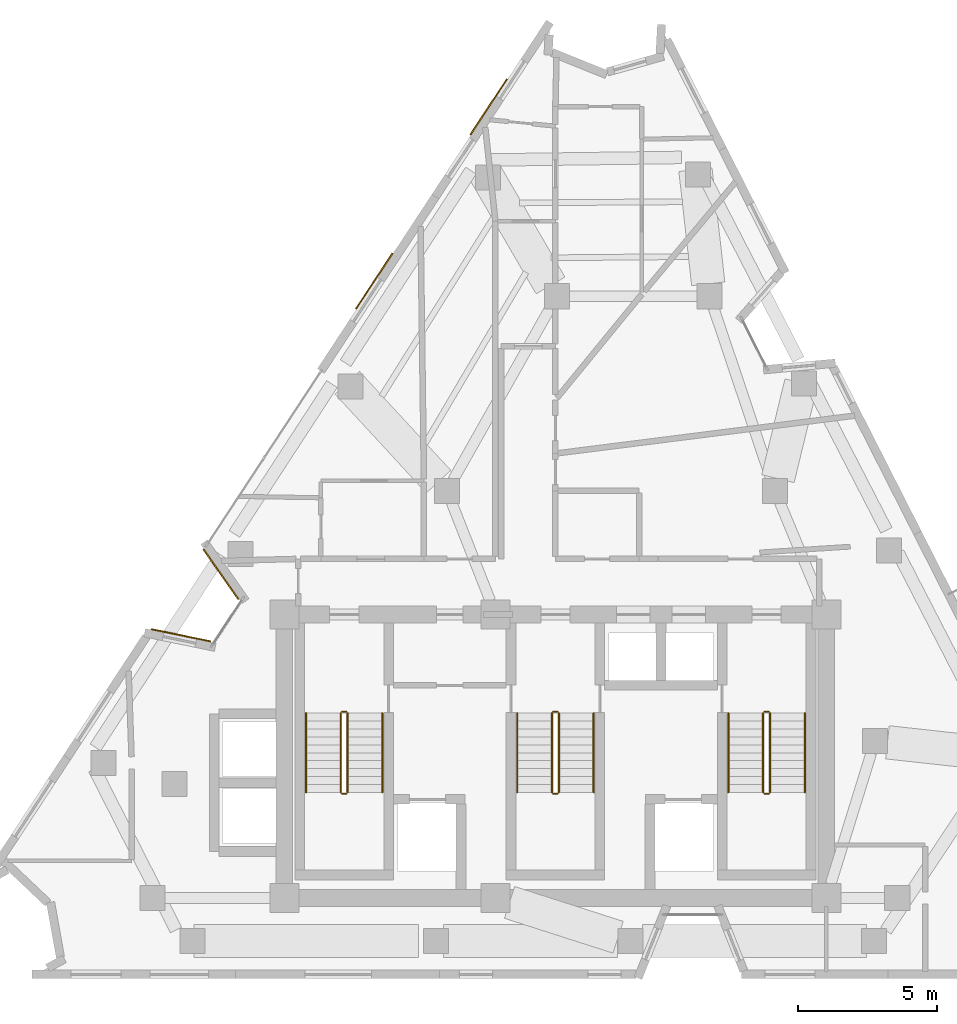
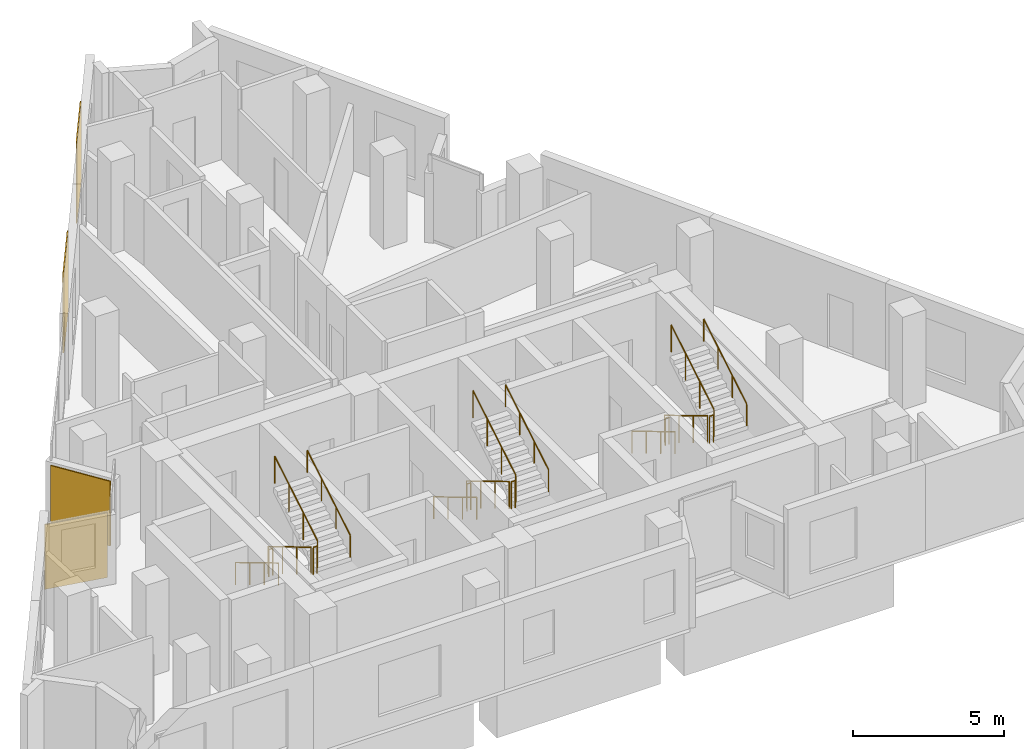
# One storey, part 9 of 10: 18 railings, 4 coverings.
"""IFC4 building model written with IfcOpenShell, lengths in metres."""

from ifc_helpers import new_model, si_unit, direction, frame, origin, origin_2d, place, context, subcontext, project, spatial, rectangle, circle, extrude, material, layer, layer_set, type_object, element, save


model = new_model("IFC4")

# Units and contexts
model_context = context("Model", 3, precision=1e-05, world=origin(), true_north=direction((0.0, 1.0)))
body_context = subcontext(model_context, "Body", "Model", "MODEL_VIEW")
ifc_project = project(units=[si_unit("LENGTHUNIT", "METRE"), si_unit("AREAUNIT", "SQUARE_METRE"), si_unit("VOLUMEUNIT", "CUBIC_METRE"), si_unit("PLANEANGLEUNIT", "RADIAN"), si_unit("MASSUNIT", "GRAM", prefix="KILO")], contexts=[model_context])

# Site, building, storey
site_placement = place(None, origin())
site = spatial("IfcSite", under=ifc_project, at=site_placement, CompositionType="ELEMENT")
building_placement = place(site_placement, origin())
building = spatial("IfcBuilding", under=site, at=building_placement, Name="Almagre Mirador Tower", CompositionType="ELEMENT")
storey_placement = place(building_placement, frame((0.0, 0.0, 229.5)))
storey = spatial("IfcBuildingStorey", under=building, at=storey_placement, Name="L59", CompositionType="ELEMENT", Elevation=229.5)

# Coverings
ifc_material_1 = material(Name="Almagre terracotta architectural cladding", Category="masonry")
ifc_layer = layer(ifc_material_1, 0.044921875)
ifc_layer_set = layer_set([ifc_layer], Name="Almagre terracotta architectural cladding")
covering_type = type_object("IfcCoveringType", Name="COV-CLAD-ALMAGRE", PredefinedType="CLADDING", material=ifc_layer_set)
for number, where, z_axis, x_axis, name in (
    (1, (23.82568359375, 14.001953125, 0.10009765625), (0.0, 0.0, 1.0), (0.979501484897, -0.201436940713, 0.0), "L59 almagre terracotta pier cladding"),
    (2, (25.26611328125, 16.195556640625, 0.10009765625), (0.0, 0.0, 1.0), (-0.573590733164, 0.819142033367, 0.0), "L59 almagre terracotta pier cladding"),
):
    element("IfcCovering", number, at=place(storey_placement, frame(where, z_axis=z_axis, x_axis=x_axis)), inside=storey, type_object=covering_type, Name=name, PredefinedType="CLADDING", context=body_context, shape_type="SweptSolid", body=[
        extrude(rectangle(XDim=2.193115234375, YDim=0.044921875, at=origin_2d()), origin(), (0.0, 0.0, 1.0), 2.625),
    ])
for number, where, z_axis, x_axis, name in (
    (3, (30.77978515625, 26.744140625, 0.10009765625), (0.0, 0.0, 1.0), (0.549051992844, 0.835788196347, 0.0), "L59 almagre terracotta pier cladding"),
    (4, (34.89990234375, 33.015869140625, 0.10009765625), (0.0, 0.0, 1.0), (0.549051992844, 0.835788196347, 0.0), "L59 almagre terracotta pier cladding"),
):
    element("IfcCovering", number, at=place(storey_placement, frame(where, z_axis=z_axis, x_axis=x_axis)), inside=storey, type_object=covering_type, Name=name, PredefinedType="CLADDING", context=body_context, shape_type="SweptSolid", body=[
        extrude(rectangle(XDim=2.39990234375, YDim=0.044921875, at=origin_2d()), origin(), (0.0, 0.0, 1.0), 3.300048828125),
    ])

# Railings
ifc_material_2 = material(Name="Painted galvanized steel", Category="steel")
railing_type_1 = type_object("IfcRailingType", Name="RLG-GRD-1100", PredefinedType="GUARDRAIL", material=ifc_material_2)
railing_1_placement = place(storey_placement, frame((29.574951171875, 11.199951171875, 0.17041015625)))
element("IfcRailing", 5, at=railing_1_placement, inside=storey, type_object=railing_type_1, Name="L59 ST-1 stair guard 1", PredefinedType="GUARDRAIL", context=body_context, shape_type="SweptSolid", body=[
    extrude(circle(Radius=0.02392578125, at=origin_2d()), frame((0.0, 0.0, 1.09619140625), z_axis=(0.0, -0.858199205511, 0.513316786848), x_axis=(1.0, 0.0, 0.0)), (0.0, 0.0, 1.0), 3.32080078125),
    extrude(circle(Radius=0.02099609375, at=origin_2d()), origin(), (0.0, 0.0, 1.0), 1.072021484375),
    extrude(circle(Radius=0.02099609375, at=origin_2d()), frame((0.0, -0.949951171875, 0.568115234375)), (0.0, 0.0, 1.0), 1.072021484375),
    extrude(circle(Radius=0.02099609375, at=origin_2d()), frame((0.0, -1.89990234375, 1.136474609375)), (0.0, 0.0, 1.0), 1.072021484375),
    extrude(circle(Radius=0.02099609375, at=origin_2d()), frame((0.0, -2.849853515625, 1.70458984375)), (0.0, 0.0, 1.0), 1.072021484375),
])
railing_2_placement = place(storey_placement, frame((29.625, 8.300048828125, 1.875)))
element("IfcRailing", 6, at=railing_2_placement, inside=storey, type_object=railing_type_1, Name="L59 ST-1 stair guard 2", PredefinedType="GUARDRAIL", context=body_context, shape_type="SweptSolid", body=[
    extrude(circle(Radius=0.02392578125, at=origin_2d()), frame((0.0, 0.0, 1.09619140625), z_axis=(1.0, 0.0, 0.0), x_axis=(0.0, 1.0, 0.0)), (0.0, 0.0, 1.0), 0.14990234375),
    extrude(circle(Radius=0.02099609375, at=origin_2d()), origin(), (0.0, 0.0, 1.0), 1.072021484375),
    extrude(circle(Radius=0.02099609375, at=origin_2d()), frame((0.14990234375, 0.0, 0.0)), (0.0, 0.0, 1.0), 1.072021484375),
])
railing_3_placement = place(storey_placement, frame((29.824951171875, 8.35009765625, 2.04541015625)))
element("IfcRailing", 7, at=railing_3_placement, inside=storey, type_object=railing_type_1, Name="L59 ST-1 stair guard 3", PredefinedType="GUARDRAIL", context=body_context, shape_type="SweptSolid", body=[
    extrude(circle(Radius=0.02392578125, at=origin_2d()), frame((0.0, 0.0, 1.09619140625), z_axis=(0.0, 0.858199205511, 0.513316786848), x_axis=(-1.0, 0.0, 0.0)), (0.0, 0.0, 1.0), 3.32080078125),
    extrude(circle(Radius=0.02099609375, at=origin_2d()), origin(), (0.0, 0.0, 1.0), 1.072021484375),
    extrude(circle(Radius=0.02099609375, at=origin_2d()), frame((0.0, 0.949951171875, 0.568115234375)), (0.0, 0.0, 1.0), 1.072021484375),
    extrude(circle(Radius=0.02099609375, at=origin_2d()), frame((0.0, 1.89990234375, 1.136474609375)), (0.0, 0.0, 1.0), 1.072021484375),
    extrude(circle(Radius=0.02099609375, at=origin_2d()), frame((0.0, 2.849853515625, 1.70458984375)), (0.0, 0.0, 1.0), 1.072021484375),
])
railing_4_placement = place(storey_placement, frame((29.625, 11.25, 0.0)))
element("IfcRailing", 8, at=railing_4_placement, inside=storey, type_object=railing_type_1, Name="L59 ST-1 stair guard 4", PredefinedType="GUARDRAIL", context=body_context, shape_type="SweptSolid", body=[
    extrude(circle(Radius=0.02392578125, at=origin_2d()), frame((0.0, 0.0, 1.09619140625), z_axis=(1.0, 0.0, 0.0), x_axis=(0.0, 1.0, 0.0)), (0.0, 0.0, 1.0), 0.14990234375),
    extrude(circle(Radius=0.02099609375, at=origin_2d()), origin(), (0.0, 0.0, 1.0), 1.072021484375),
    extrude(circle(Radius=0.02099609375, at=origin_2d()), frame((0.14990234375, 0.0, 0.0)), (0.0, 0.0, 1.0), 1.072021484375),
])
railing_5_placement = place(storey_placement, frame((37.175048828125, 11.199951171875, 0.17041015625)))
element("IfcRailing", 9, at=railing_5_placement, inside=storey, type_object=railing_type_1, Name="L59 ST-2 stair guard 1", PredefinedType="GUARDRAIL", context=body_context, shape_type="SweptSolid", body=[
    extrude(circle(Radius=0.02392578125, at=origin_2d()), frame((0.0, 0.0, 1.09619140625), z_axis=(0.0, -0.858199205511, 0.513316786848), x_axis=(1.0, 0.0, 0.0)), (0.0, 0.0, 1.0), 3.32080078125),
    extrude(circle(Radius=0.02099609375, at=origin_2d()), origin(), (0.0, 0.0, 1.0), 1.072021484375),
    extrude(circle(Radius=0.02099609375, at=origin_2d()), frame((0.0, -0.949951171875, 0.568115234375)), (0.0, 0.0, 1.0), 1.072021484375),
    extrude(circle(Radius=0.02099609375, at=origin_2d()), frame((0.0, -1.89990234375, 1.136474609375)), (0.0, 0.0, 1.0), 1.072021484375),
    extrude(circle(Radius=0.02099609375, at=origin_2d()), frame((0.0, -2.849853515625, 1.70458984375)), (0.0, 0.0, 1.0), 1.072021484375),
])
railing_6_placement = place(storey_placement, frame((37.22509765625, 8.300048828125, 1.875)))
element("IfcRailing", 10, at=railing_6_placement, inside=storey, type_object=railing_type_1, Name="L59 ST-2 stair guard 2", PredefinedType="GUARDRAIL", context=body_context, shape_type="SweptSolid", body=[
    extrude(circle(Radius=0.02392578125, at=origin_2d()), frame((0.0, 0.0, 1.09619140625), z_axis=(1.0, 0.0, 0.0), x_axis=(0.0, 1.0, 0.0)), (0.0, 0.0, 1.0), 0.14990234375),
    extrude(circle(Radius=0.02099609375, at=origin_2d()), origin(), (0.0, 0.0, 1.0), 1.072021484375),
    extrude(circle(Radius=0.02099609375, at=origin_2d()), frame((0.14990234375, 0.0, 0.0)), (0.0, 0.0, 1.0), 1.072021484375),
])
railing_7_placement = place(storey_placement, frame((37.425048828125, 8.35009765625, 2.04541015625)))
element("IfcRailing", 11, at=railing_7_placement, inside=storey, type_object=railing_type_1, Name="L59 ST-2 stair guard 3", PredefinedType="GUARDRAIL", context=body_context, shape_type="SweptSolid", body=[
    extrude(circle(Radius=0.02392578125, at=origin_2d()), frame((0.0, 0.0, 1.09619140625), z_axis=(0.0, 0.858199205511, 0.513316786848), x_axis=(-1.0, 0.0, 0.0)), (0.0, 0.0, 1.0), 3.32080078125),
    extrude(circle(Radius=0.02099609375, at=origin_2d()), origin(), (0.0, 0.0, 1.0), 1.072021484375),
    extrude(circle(Radius=0.02099609375, at=origin_2d()), frame((0.0, 0.949951171875, 0.568115234375)), (0.0, 0.0, 1.0), 1.072021484375),
    extrude(circle(Radius=0.02099609375, at=origin_2d()), frame((0.0, 1.89990234375, 1.136474609375)), (0.0, 0.0, 1.0), 1.072021484375),
    extrude(circle(Radius=0.02099609375, at=origin_2d()), frame((0.0, 2.849853515625, 1.70458984375)), (0.0, 0.0, 1.0), 1.072021484375),
])
railing_8_placement = place(storey_placement, frame((37.22509765625, 11.25, 0.0)))
element("IfcRailing", 12, at=railing_8_placement, inside=storey, type_object=railing_type_1, Name="L59 ST-2 stair guard 4", PredefinedType="GUARDRAIL", context=body_context, shape_type="SweptSolid", body=[
    extrude(circle(Radius=0.02392578125, at=origin_2d()), frame((0.0, 0.0, 1.09619140625), z_axis=(1.0, 0.0, 0.0), x_axis=(0.0, 1.0, 0.0)), (0.0, 0.0, 1.0), 0.14990234375),
    extrude(circle(Radius=0.02099609375, at=origin_2d()), origin(), (0.0, 0.0, 1.0), 1.072021484375),
    extrude(circle(Radius=0.02099609375, at=origin_2d()), frame((0.14990234375, 0.0, 0.0)), (0.0, 0.0, 1.0), 1.072021484375),
])
railing_9_placement = place(storey_placement, frame((44.77490234375, 11.199951171875, 0.17041015625)))
element("IfcRailing", 13, at=railing_9_placement, inside=storey, type_object=railing_type_1, Name="L59 ST-3 stair guard 1", PredefinedType="GUARDRAIL", context=body_context, shape_type="SweptSolid", body=[
    extrude(circle(Radius=0.02392578125, at=origin_2d()), frame((0.0, 0.0, 1.09619140625), z_axis=(0.0, -0.858199205511, 0.513316786848), x_axis=(1.0, 0.0, 0.0)), (0.0, 0.0, 1.0), 3.32080078125),
    extrude(circle(Radius=0.02099609375, at=origin_2d()), origin(), (0.0, 0.0, 1.0), 1.072021484375),
    extrude(circle(Radius=0.02099609375, at=origin_2d()), frame((0.0, -0.949951171875, 0.568115234375)), (0.0, 0.0, 1.0), 1.072021484375),
    extrude(circle(Radius=0.02099609375, at=origin_2d()), frame((0.0, -1.89990234375, 1.136474609375)), (0.0, 0.0, 1.0), 1.072021484375),
    extrude(circle(Radius=0.02099609375, at=origin_2d()), frame((0.0, -2.849853515625, 1.70458984375)), (0.0, 0.0, 1.0), 1.072021484375),
])
railing_10_placement = place(storey_placement, frame((44.824951171875, 8.300048828125, 1.875)))
element("IfcRailing", 14, at=railing_10_placement, inside=storey, type_object=railing_type_1, Name="L59 ST-3 stair guard 2", PredefinedType="GUARDRAIL", context=body_context, shape_type="SweptSolid", body=[
    extrude(circle(Radius=0.02392578125, at=origin_2d()), frame((0.0, 0.0, 1.09619140625), z_axis=(1.0, 0.0, 0.0), x_axis=(0.0, 1.0, 0.0)), (0.0, 0.0, 1.0), 0.150146484375),
    extrude(circle(Radius=0.02099609375, at=origin_2d()), origin(), (0.0, 0.0, 1.0), 1.072021484375),
    extrude(circle(Radius=0.02099609375, at=origin_2d()), frame((0.150146484375, 0.0, 0.0)), (0.0, 0.0, 1.0), 1.072021484375),
])
railing_11_placement = place(storey_placement, frame((45.02490234375, 8.35009765625, 2.04541015625)))
element("IfcRailing", 15, at=railing_11_placement, inside=storey, type_object=railing_type_1, Name="L59 ST-3 stair guard 3", PredefinedType="GUARDRAIL", context=body_context, shape_type="SweptSolid", body=[
    extrude(circle(Radius=0.02392578125, at=origin_2d()), frame((0.0, 0.0, 1.09619140625), z_axis=(0.0, 0.858199205511, 0.513316786848), x_axis=(-1.0, 0.0, 0.0)), (0.0, 0.0, 1.0), 3.32080078125),
    extrude(circle(Radius=0.02099609375, at=origin_2d()), origin(), (0.0, 0.0, 1.0), 1.072021484375),
    extrude(circle(Radius=0.02099609375, at=origin_2d()), frame((0.0, 0.949951171875, 0.568115234375)), (0.0, 0.0, 1.0), 1.072021484375),
    extrude(circle(Radius=0.02099609375, at=origin_2d()), frame((0.0, 1.89990234375, 1.136474609375)), (0.0, 0.0, 1.0), 1.072021484375),
    extrude(circle(Radius=0.02099609375, at=origin_2d()), frame((0.0, 2.849853515625, 1.70458984375)), (0.0, 0.0, 1.0), 1.072021484375),
])
railing_12_placement = place(storey_placement, frame((44.824951171875, 11.25, 0.0)))
element("IfcRailing", 16, at=railing_12_placement, inside=storey, type_object=railing_type_1, Name="L59 ST-3 stair guard 4", PredefinedType="GUARDRAIL", context=body_context, shape_type="SweptSolid", body=[
    extrude(circle(Radius=0.02392578125, at=origin_2d()), frame((0.0, 0.0, 1.09619140625), z_axis=(1.0, 0.0, 0.0), x_axis=(0.0, 1.0, 0.0)), (0.0, 0.0, 1.0), 0.150146484375),
    extrude(circle(Radius=0.02099609375, at=origin_2d()), origin(), (0.0, 0.0, 1.0), 1.072021484375),
    extrude(circle(Radius=0.02099609375, at=origin_2d()), frame((0.150146484375, 0.0, 0.0)), (0.0, 0.0, 1.0), 1.072021484375),
])
ifc_material_3 = material(Name="Brushed stainless steel", Category="steel")
railing_type_2 = type_object("IfcRailingType", Name="RLG-HND-915", PredefinedType="HANDRAIL", material=ifc_material_3)
railing_13_placement = place(storey_placement, frame((28.324951171875, 11.199951171875, 0.17041015625)))
element("IfcRailing", 17, at=railing_13_placement, inside=storey, type_object=railing_type_2, Name="L59 ST-1 stair handrail 1", PredefinedType="HANDRAIL", context=body_context, shape_type="SweptSolid", body=[
    extrude(circle(Radius=0.02392578125, at=origin_2d()), frame((0.0, 0.0, 0.89111328125), z_axis=(0.0, -0.858199205511, 0.513316786848), x_axis=(1.0, 0.0, 0.0)), (0.0, 0.0, 1.0), 3.32080078125),
    extrude(circle(Radius=0.02099609375, at=origin_2d()), origin(), (0.0, 0.0, 1.0), 0.866943359375),
    extrude(circle(Radius=0.02099609375, at=origin_2d()), frame((0.0, -0.949951171875, 0.568115234375)), (0.0, 0.0, 1.0), 0.866943359375),
    extrude(circle(Radius=0.02099609375, at=origin_2d()), frame((0.0, -1.89990234375, 1.136474609375)), (0.0, 0.0, 1.0), 0.866943359375),
    extrude(circle(Radius=0.02099609375, at=origin_2d()), frame((0.0, -2.849853515625, 1.70458984375)), (0.0, 0.0, 1.0), 0.866943359375),
])
railing_14_placement = place(storey_placement, frame((31.074951171875, 8.35009765625, 2.04541015625)))
element("IfcRailing", 18, at=railing_14_placement, inside=storey, type_object=railing_type_2, Name="L59 ST-1 stair handrail 2", PredefinedType="HANDRAIL", context=body_context, shape_type="SweptSolid", body=[
    extrude(circle(Radius=0.02392578125, at=origin_2d()), frame((0.0, 0.0, 0.89111328125), z_axis=(0.0, 0.858199205511, 0.513316786848), x_axis=(-1.0, 0.0, 0.0)), (0.0, 0.0, 1.0), 3.32080078125),
    extrude(circle(Radius=0.02099609375, at=origin_2d()), origin(), (0.0, 0.0, 1.0), 0.866943359375),
    extrude(circle(Radius=0.02099609375, at=origin_2d()), frame((0.0, 0.949951171875, 0.568115234375)), (0.0, 0.0, 1.0), 0.866943359375),
    extrude(circle(Radius=0.02099609375, at=origin_2d()), frame((0.0, 1.89990234375, 1.136474609375)), (0.0, 0.0, 1.0), 0.866943359375),
    extrude(circle(Radius=0.02099609375, at=origin_2d()), frame((0.0, 2.849853515625, 1.70458984375)), (0.0, 0.0, 1.0), 0.866943359375),
])
railing_15_placement = place(storey_placement, frame((35.925048828125, 11.199951171875, 0.17041015625)))
element("IfcRailing", 19, at=railing_15_placement, inside=storey, type_object=railing_type_2, Name="L59 ST-2 stair handrail 1", PredefinedType="HANDRAIL", context=body_context, shape_type="SweptSolid", body=[
    extrude(circle(Radius=0.02392578125, at=origin_2d()), frame((0.0, 0.0, 0.89111328125), z_axis=(0.0, -0.858199205511, 0.513316786848), x_axis=(1.0, 0.0, 0.0)), (0.0, 0.0, 1.0), 3.32080078125),
    extrude(circle(Radius=0.02099609375, at=origin_2d()), origin(), (0.0, 0.0, 1.0), 0.866943359375),
    extrude(circle(Radius=0.02099609375, at=origin_2d()), frame((0.0, -0.949951171875, 0.568115234375)), (0.0, 0.0, 1.0), 0.866943359375),
    extrude(circle(Radius=0.02099609375, at=origin_2d()), frame((0.0, -1.89990234375, 1.136474609375)), (0.0, 0.0, 1.0), 0.866943359375),
    extrude(circle(Radius=0.02099609375, at=origin_2d()), frame((0.0, -2.849853515625, 1.70458984375)), (0.0, 0.0, 1.0), 0.866943359375),
])
railing_16_placement = place(storey_placement, frame((38.675048828125, 8.35009765625, 2.04541015625)))
element("IfcRailing", 20, at=railing_16_placement, inside=storey, type_object=railing_type_2, Name="L59 ST-2 stair handrail 2", PredefinedType="HANDRAIL", context=body_context, shape_type="SweptSolid", body=[
    extrude(circle(Radius=0.02392578125, at=origin_2d()), frame((0.0, 0.0, 0.89111328125), z_axis=(0.0, 0.858199205511, 0.513316786848), x_axis=(-1.0, 0.0, 0.0)), (0.0, 0.0, 1.0), 3.32080078125),
    extrude(circle(Radius=0.02099609375, at=origin_2d()), origin(), (0.0, 0.0, 1.0), 0.866943359375),
    extrude(circle(Radius=0.02099609375, at=origin_2d()), frame((0.0, 0.949951171875, 0.568115234375)), (0.0, 0.0, 1.0), 0.866943359375),
    extrude(circle(Radius=0.02099609375, at=origin_2d()), frame((0.0, 1.89990234375, 1.136474609375)), (0.0, 0.0, 1.0), 0.866943359375),
    extrude(circle(Radius=0.02099609375, at=origin_2d()), frame((0.0, 2.849853515625, 1.70458984375)), (0.0, 0.0, 1.0), 0.866943359375),
])
railing_17_placement = place(storey_placement, frame((43.52490234375, 11.199951171875, 0.17041015625)))
element("IfcRailing", 21, at=railing_17_placement, inside=storey, type_object=railing_type_2, Name="L59 ST-3 stair handrail 1", PredefinedType="HANDRAIL", context=body_context, shape_type="SweptSolid", body=[
    extrude(circle(Radius=0.02392578125, at=origin_2d()), frame((0.0, 0.0, 0.89111328125), z_axis=(0.0, -0.858199205511, 0.513316786848), x_axis=(1.0, 0.0, 0.0)), (0.0, 0.0, 1.0), 3.32080078125),
    extrude(circle(Radius=0.02099609375, at=origin_2d()), origin(), (0.0, 0.0, 1.0), 0.866943359375),
    extrude(circle(Radius=0.02099609375, at=origin_2d()), frame((0.0, -0.949951171875, 0.568115234375)), (0.0, 0.0, 1.0), 0.866943359375),
    extrude(circle(Radius=0.02099609375, at=origin_2d()), frame((0.0, -1.89990234375, 1.136474609375)), (0.0, 0.0, 1.0), 0.866943359375),
    extrude(circle(Radius=0.02099609375, at=origin_2d()), frame((0.0, -2.849853515625, 1.70458984375)), (0.0, 0.0, 1.0), 0.866943359375),
])
railing_18_placement = place(storey_placement, frame((46.27490234375, 8.35009765625, 2.04541015625)))
element("IfcRailing", 22, at=railing_18_placement, inside=storey, type_object=railing_type_2, Name="L59 ST-3 stair handrail 2", PredefinedType="HANDRAIL", context=body_context, shape_type="SweptSolid", body=[
    extrude(circle(Radius=0.02392578125, at=origin_2d()), frame((0.0, 0.0, 0.89111328125), z_axis=(0.0, 0.858199205511, 0.513316786848), x_axis=(-1.0, 0.0, 0.0)), (0.0, 0.0, 1.0), 3.32080078125),
    extrude(circle(Radius=0.02099609375, at=origin_2d()), origin(), (0.0, 0.0, 1.0), 0.866943359375),
    extrude(circle(Radius=0.02099609375, at=origin_2d()), frame((0.0, 0.949951171875, 0.568115234375)), (0.0, 0.0, 1.0), 0.866943359375),
    extrude(circle(Radius=0.02099609375, at=origin_2d()), frame((0.0, 1.89990234375, 1.136474609375)), (0.0, 0.0, 1.0), 0.866943359375),
    extrude(circle(Radius=0.02099609375, at=origin_2d()), frame((0.0, 2.849853515625, 1.70458984375)), (0.0, 0.0, 1.0), 0.866943359375),
])

save(model, "model.ifc")
